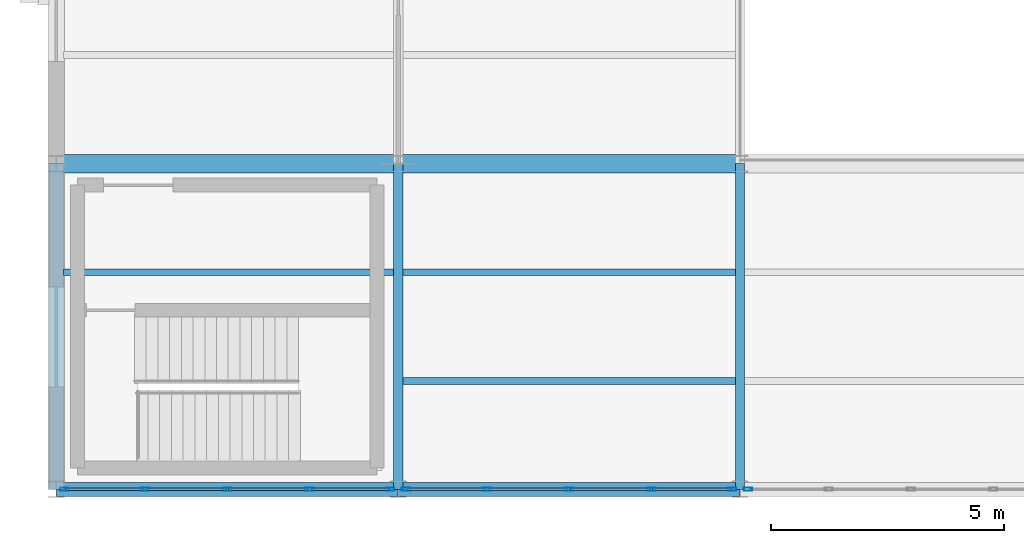
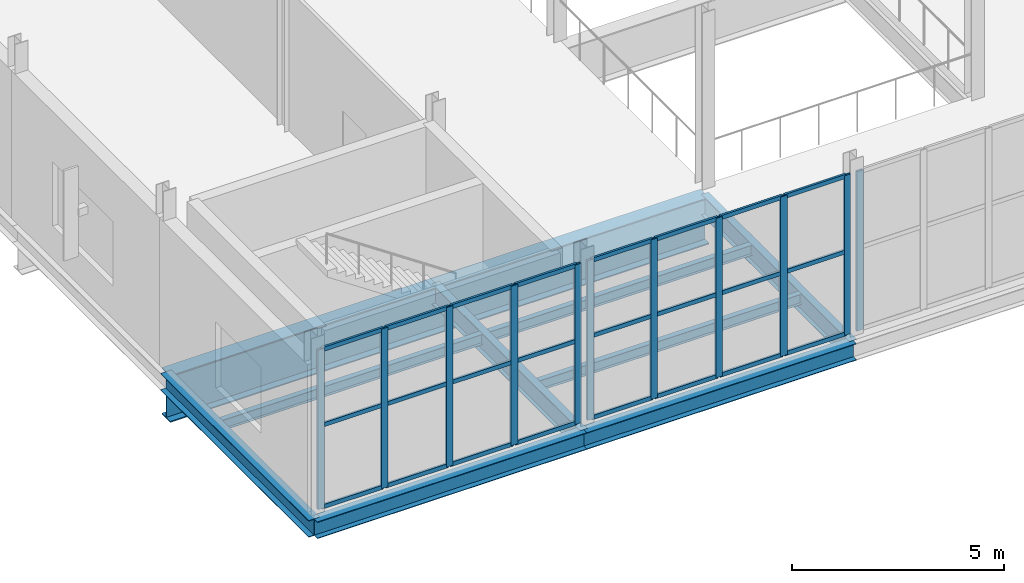
# One storey, part 34 of 218: 35 members, 9 beams, 3 elements without a shape of their own.
"""IFC4 building model written with IfcOpenShell, lengths in metres."""

from ifc_helpers import new_model, si_unit, direction, frame, origin, origin_2d, place, context, subcontext, project, spatial, hollow_rectangle, i_section, extrude, material, material_profile, profile_set, type_object, element, aggregate, save


model = new_model("IFC4")

# Units and contexts
model_context = context("Model", 3, precision=1e-05, world=origin(), true_north=direction((0.0, 1.0)))
body_context = subcontext(model_context, "Body", "Model", "MODEL_VIEW")
ifc_project = project(units=[si_unit("LENGTHUNIT", "METRE"), si_unit("AREAUNIT", "SQUARE_METRE"), si_unit("VOLUMEUNIT", "CUBIC_METRE"), si_unit("PLANEANGLEUNIT", "RADIAN"), si_unit("MASSUNIT", "GRAM", prefix="KILO")], contexts=[model_context])

# Site, building, storey
site_placement = place(None, origin())
site = spatial("IfcSite", under=ifc_project, at=site_placement, CompositionType="ELEMENT")
building_placement = place(site_placement, origin())
building = spatial("IfcBuilding", under=site, at=building_placement, Name="Kazenagashi Tramway Depot", CompositionType="ELEMENT")
storey_placement = place(building_placement, frame((0.0, 0.0, 6.0)))
storey = spatial("IfcBuildingStorey", under=building, at=storey_placement, Name="L02", CompositionType="ELEMENT", Elevation=6.0)

# Beams
ifc_material_1 = material(Name="Steel SN490B", Category="steel")
ifc_material_profile_1 = material_profile(ifc_material_1, i_section(OverallWidth=0.2, OverallDepth=0.6, WebThickness=0.011, FlangeThickness=0.017, at=origin_2d()), Name="H-600x200x11x17")
ifc_profile_set_1 = profile_set([ifc_material_profile_1], Name="Steel SN490B")
beam_type_1 = type_object("IfcBeamType", Name="G-03", PredefinedType="BEAM", material=ifc_profile_set_1)
for number, where, z_axis, x_axis, name in (
    (1, (7.35, 0.0, -0.55), (0.0, 1.0, 0.0), (-1.0, 0.0, 0.0), "Beam G-03 BM-0080"),
    (2, (14.7, 0.0, -0.55), (0.0, 1.0, 0.0), (-1.0, 0.0, 0.0), "Beam G-03 BM-0107"),
):
    element("IfcBeam", number, at=place(storey_placement, frame(where, z_axis=z_axis, x_axis=x_axis)), inside=storey, type_object=beam_type_1, Name=name, PredefinedType="BEAM", context=body_context, shape_type="SweptSolid", body=[
        extrude(i_section(OverallWidth=0.2, OverallDepth=0.6, WebThickness=0.011, FlangeThickness=0.017, at=origin_2d()), origin(), (0.0, 0.0, 1.0), 7.0),
    ])
ifc_material_2 = material(Name="Steel SN400B", Category="steel")
ifc_material_profile_2 = material_profile(ifc_material_2, i_section(OverallWidth=0.15, OverallDepth=0.3, WebThickness=0.0065, FlangeThickness=0.009, at=origin_2d()), Name="H-300x150x6.5x9")
ifc_profile_set_2 = profile_set([ifc_material_profile_2], Name="Steel SN400B")
beam_type_2 = type_object("IfcBeamType", Name="J-02", PredefinedType="JOIST", material=ifc_profile_set_2)
beam_1_placement = place(storey_placement, frame((0.15, 4.667, -0.4), z_axis=(1.0, 0.0, 0.0), x_axis=(0.0, 1.0, 0.0)))
element("IfcBeam", 3, at=beam_1_placement, inside=storey, type_object=beam_type_2, Name="Beam J-02 BM-0056", PredefinedType="JOIST", context=body_context, shape_type="SweptSolid", body=[
    extrude(i_section(OverallWidth=0.15, OverallDepth=0.3, WebThickness=0.0065, FlangeThickness=0.009, at=origin_2d()), origin(), (0.0, 0.0, 1.0), 7.1),
])
for number, where, z_axis, x_axis, name in (
    (4, (7.45, 2.333, -0.4), (1.0, 0.0, 0.0), (0.0, 1.0, 0.0), "Beam J-02 BM-0081"),
    (5, (7.45, 4.667, -0.4), (1.0, 0.0, 0.0), (0.0, 1.0, 0.0), "Beam J-02 BM-0082"),
):
    element("IfcBeam", number, at=place(storey_placement, frame(where, z_axis=z_axis, x_axis=x_axis)), inside=storey, type_object=beam_type_2, Name=name, PredefinedType="JOIST", context=body_context, shape_type="SweptSolid", body=[
        extrude(i_section(OverallWidth=0.15, OverallDepth=0.3, WebThickness=0.0065, FlangeThickness=0.009, at=origin_2d()), origin(), (0.0, 0.0, 1.0), 7.15),
    ])

# Curtain wall, members
ifc_material_3 = material(Name="Anodised Aluminium and Low-E Glazing", Category="aluminium")
curtain_wall_type = type_object("IfcCurtainWallType", Name="CW-25", PredefinedType="USERDEFINED", material=ifc_material_3)
curtain_wall_1_placement = place(storey_placement, origin())
curtain_wall_1 = element("IfcCurtainWall", 6, at=curtain_wall_1_placement, inside=storey, type_object=curtain_wall_type, Name="Industrial Glazed Screen CW-25 CW-0135", ObjectType="GLAZED SCREEN", PredefinedType="USERDEFINED")
ifc_material_4 = material(Name="Anodised Aluminium", Category="aluminium")
ifc_material_profile_3 = material_profile(ifc_material_4, hollow_rectangle(XDim=0.07, YDim=0.18, WallThickness=0.005, at=origin_2d()), Name="RHS-180x70x5")
ifc_profile_set_3 = profile_set([ifc_material_profile_3], Name="Anodised Aluminium")
member_type_1 = type_object("IfcMemberType", Name="ML-02", PredefinedType="MULLION", material=ifc_profile_set_3)
member_1_placement = place(storey_placement, frame((0.17, 0.0, 0.0), z_axis=(0.0, 0.0, 1.0), x_axis=(0.0, 1.0, 0.0)))
member_1 = element("IfcMember", 7, at=member_1_placement, type_object=member_type_1, Name="CW-25 mullion 1", PredefinedType="MULLION", context=body_context, shape_type="SweptSolid", body=[
    extrude(hollow_rectangle(XDim=0.07, YDim=0.18, WallThickness=0.005, at=origin_2d()), origin(), (0.0, 0.0, 1.0), 4.6),
])
member_2_placement = place(storey_placement, frame((1.9075, 0.0, 0.0), z_axis=(0.0, 0.0, 1.0), x_axis=(0.0, 1.0, 0.0)))
member_2 = element("IfcMember", 8, at=member_2_placement, type_object=member_type_1, Name="CW-25 mullion 2", PredefinedType="MULLION", context=body_context, shape_type="SweptSolid", body=[
    extrude(hollow_rectangle(XDim=0.07, YDim=0.18, WallThickness=0.005, at=origin_2d()), origin(), (0.0, 0.0, 1.0), 4.6),
])
member_3_placement = place(storey_placement, frame((3.675, 0.0, 0.0), z_axis=(0.0, 0.0, 1.0), x_axis=(0.0, 1.0, 0.0)))
member_3 = element("IfcMember", 9, at=member_3_placement, type_object=member_type_1, Name="CW-25 mullion 3", PredefinedType="MULLION", context=body_context, shape_type="SweptSolid", body=[
    extrude(hollow_rectangle(XDim=0.07, YDim=0.18, WallThickness=0.005, at=origin_2d()), origin(), (0.0, 0.0, 1.0), 4.6),
])
member_4_placement = place(storey_placement, frame((5.4425, 0.0, 0.0), z_axis=(0.0, 0.0, 1.0), x_axis=(0.0, 1.0, 0.0)))
member_4 = element("IfcMember", 10, at=member_4_placement, type_object=member_type_1, Name="CW-25 mullion 4", PredefinedType="MULLION", context=body_context, shape_type="SweptSolid", body=[
    extrude(hollow_rectangle(XDim=0.07, YDim=0.18, WallThickness=0.005, at=origin_2d()), origin(), (0.0, 0.0, 1.0), 4.6),
])
member_5_placement = place(storey_placement, frame((7.18, 0.0, 0.0), z_axis=(0.0, 0.0, 1.0), x_axis=(0.0, 1.0, 0.0)))
member_5 = element("IfcMember", 11, at=member_5_placement, type_object=member_type_1, Name="CW-25 mullion 5", PredefinedType="MULLION", context=body_context, shape_type="SweptSolid", body=[
    extrude(hollow_rectangle(XDim=0.07, YDim=0.18, WallThickness=0.005, at=origin_2d()), origin(), (0.0, 0.0, 1.0), 4.6),
])

curtain_wall_2_placement = place(storey_placement, origin())
curtain_wall_2 = element("IfcCurtainWall", 12, at=curtain_wall_2_placement, inside=storey, type_object=curtain_wall_type, Name="Industrial Glazed Screen CW-25 CW-0136", ObjectType="GLAZED SCREEN", PredefinedType="USERDEFINED")
member_6_placement = place(storey_placement, frame((7.52, 0.0, 0.0), z_axis=(0.0, 0.0, 1.0), x_axis=(0.0, 1.0, 0.0)))
member_6 = element("IfcMember", 13, at=member_6_placement, type_object=member_type_1, Name="CW-25 mullion 1", PredefinedType="MULLION", context=body_context, shape_type="SweptSolid", body=[
    extrude(hollow_rectangle(XDim=0.07, YDim=0.18, WallThickness=0.005, at=origin_2d()), origin(), (0.0, 0.0, 1.0), 4.6),
])
member_7_placement = place(storey_placement, frame((9.2575, 0.0, 0.0), z_axis=(0.0, 0.0, 1.0), x_axis=(0.0, 1.0, 0.0)))
member_7 = element("IfcMember", 14, at=member_7_placement, type_object=member_type_1, Name="CW-25 mullion 2", PredefinedType="MULLION", context=body_context, shape_type="SweptSolid", body=[
    extrude(hollow_rectangle(XDim=0.07, YDim=0.18, WallThickness=0.005, at=origin_2d()), origin(), (0.0, 0.0, 1.0), 4.6),
])
member_8_placement = place(storey_placement, frame((11.025, 0.0, 0.0), z_axis=(0.0, 0.0, 1.0), x_axis=(0.0, 1.0, 0.0)))
member_8 = element("IfcMember", 15, at=member_8_placement, type_object=member_type_1, Name="CW-25 mullion 3", PredefinedType="MULLION", context=body_context, shape_type="SweptSolid", body=[
    extrude(hollow_rectangle(XDim=0.07, YDim=0.18, WallThickness=0.005, at=origin_2d()), origin(), (0.0, 0.0, 1.0), 4.6),
])
member_9_placement = place(storey_placement, frame((12.7925, 0.0, 0.0), z_axis=(0.0, 0.0, 1.0), x_axis=(0.0, 1.0, 0.0)))
member_9 = element("IfcMember", 16, at=member_9_placement, type_object=member_type_1, Name="CW-25 mullion 4", PredefinedType="MULLION", context=body_context, shape_type="SweptSolid", body=[
    extrude(hollow_rectangle(XDim=0.07, YDim=0.18, WallThickness=0.005, at=origin_2d()), origin(), (0.0, 0.0, 1.0), 4.6),
])
member_10_placement = place(storey_placement, frame((14.53, 0.0, 0.0), z_axis=(0.0, 0.0, 1.0), x_axis=(0.0, 1.0, 0.0)))
member_10 = element("IfcMember", 17, at=member_10_placement, type_object=member_type_1, Name="CW-25 mullion 5", PredefinedType="MULLION", context=body_context, shape_type="SweptSolid", body=[
    extrude(hollow_rectangle(XDim=0.07, YDim=0.18, WallThickness=0.005, at=origin_2d()), origin(), (0.0, 0.0, 1.0), 4.6),
])

# Curtain wall, member
curtain_wall_3_placement = place(storey_placement, origin())
curtain_wall_3 = element("IfcCurtainWall", 18, at=curtain_wall_3_placement, inside=storey, type_object=curtain_wall_type, Name="Industrial Glazed Screen CW-25 CW-0138", ObjectType="GLAZED SCREEN", PredefinedType="USERDEFINED")
member_11_placement = place(storey_placement, frame((14.87, 0.0, 0.0), z_axis=(0.0, 0.0, 1.0), x_axis=(0.0, 1.0, 0.0)))
member_11 = element("IfcMember", 19, at=member_11_placement, type_object=member_type_1, Name="CW-25 mullion 1", PredefinedType="MULLION", context=body_context, shape_type="SweptSolid", body=[
    extrude(hollow_rectangle(XDim=0.07, YDim=0.18, WallThickness=0.005, at=origin_2d()), origin(), (0.0, 0.0, 1.0), 4.6),
])
aggregate(curtain_wall_3, [member_11])

# Beams
ifc_material_profile_4 = material_profile(ifc_material_1, i_section(OverallWidth=0.3, OverallDepth=0.488, WebThickness=0.011, FlangeThickness=0.018, at=origin_2d()), Name="H-488x300x11x18")
ifc_profile_set_4 = profile_set([ifc_material_profile_4], Name="Steel SN490B")
beam_type_3 = type_object("IfcBeamType", Name="SP-02", PredefinedType="SPANDREL", material=ifc_profile_set_4)
for number, where, z_axis, x_axis, name in (
    (20, (0.0, 0.0, -0.494), (1.0, 0.0, 0.0), (0.0, 1.0, 0.0), "Beam SP-02 BM-0007"),
    (21, (7.35, 0.0, -0.494), (1.0, 0.0, 0.0), (0.0, 1.0, 0.0), "Beam SP-02 BM-0008"),
):
    element("IfcBeam", number, at=place(storey_placement, frame(where, z_axis=z_axis, x_axis=x_axis)), inside=storey, type_object=beam_type_3, Name=name, PredefinedType="SPANDREL", context=body_context, shape_type="SweptSolid", body=[
        extrude(i_section(OverallWidth=0.3, OverallDepth=0.488, WebThickness=0.011, FlangeThickness=0.018, at=origin_2d()), origin(), (0.0, 0.0, 1.0), 7.35),
    ])
beam_2_placement = place(storey_placement, frame((0.0, 0.0, -0.494), z_axis=(0.0, 1.0, 0.0), x_axis=(-1.0, 0.0, 0.0)))
element("IfcBeam", 22, at=beam_2_placement, inside=storey, type_object=beam_type_3, Name="Beam SP-02 BM-0055", PredefinedType="SPANDREL", context=body_context, shape_type="SweptSolid", body=[
    extrude(i_section(OverallWidth=0.3, OverallDepth=0.488, WebThickness=0.011, FlangeThickness=0.018, at=origin_2d()), origin(), (0.0, 0.0, 1.0), 7.0),
])
ifc_material_profile_5 = material_profile(ifc_material_1, i_section(OverallWidth=0.4, OverallDepth=1.35, WebThickness=0.019, FlangeThickness=0.032, at=origin_2d()), Name="BH-1350x400x19x32")
ifc_profile_set_5 = profile_set([ifc_material_profile_5], Name="Steel SN490B")
beam_type_4 = type_object("IfcBeamType", Name="TG-01", PredefinedType="BEAM", material=ifc_profile_set_5)
beam_3_placement = place(storey_placement, frame((0.0, 7.0, -0.925), z_axis=(1.0, 0.0, 0.0), x_axis=(0.0, 1.0, 0.0)))
element("IfcBeam", 23, at=beam_3_placement, inside=storey, type_object=beam_type_4, Name="Transfer Girder TG-01 BM-0001", PredefinedType="BEAM", context=body_context, shape_type="SweptSolid", body=[
    extrude(i_section(OverallWidth=0.4, OverallDepth=1.35, WebThickness=0.019, FlangeThickness=0.032, at=origin_2d()), origin(), (0.0, 0.0, 1.0), 14.7),
])

# Member
ifc_material_profile_6 = material_profile(ifc_material_4, hollow_rectangle(XDim=0.06, YDim=0.12, WallThickness=0.004, at=origin_2d()), Name="RHS-120x60x4")
ifc_profile_set_6 = profile_set([ifc_material_profile_6], Name="Anodised Aluminium")
member_type_2 = type_object("IfcMemberType", Name="TR-01", PredefinedType="USERDEFINED", material=ifc_profile_set_6)
member_12_placement = place(storey_placement, frame((0.2, 0.0, 0.03), z_axis=(1.0, 0.0, 0.0), x_axis=(0.0, 1.0, 0.0)))
member_12 = element("IfcMember", 24, at=member_12_placement, type_object=member_type_2, Name="CW-25 transom 1.1", ObjectType="TRANSOM", PredefinedType="USERDEFINED", context=body_context, shape_type="SweptSolid", body=[
    extrude(hollow_rectangle(XDim=0.06, YDim=0.12, WallThickness=0.004, at=origin_2d()), origin(), (0.0, 0.0, 1.0), 1.6775),
])

member_13_placement = place(storey_placement, frame((0.2, 0.0, 2.392), z_axis=(1.0, 0.0, 0.0), x_axis=(0.0, 1.0, 0.0)))
member_13 = element("IfcMember", 25, at=member_13_placement, type_object=member_type_2, Name="CW-25 transom 1.2", ObjectType="TRANSOM", PredefinedType="USERDEFINED", context=body_context, shape_type="SweptSolid", body=[
    extrude(hollow_rectangle(XDim=0.06, YDim=0.12, WallThickness=0.004, at=origin_2d()), origin(), (0.0, 0.0, 1.0), 1.6775),
])

member_14_placement = place(storey_placement, frame((0.2, 0.0, 4.57), z_axis=(1.0, 0.0, 0.0), x_axis=(0.0, 1.0, 0.0)))
member_14 = element("IfcMember", 26, at=member_14_placement, type_object=member_type_2, Name="CW-25 transom 1.3", ObjectType="TRANSOM", PredefinedType="USERDEFINED", context=body_context, shape_type="SweptSolid", body=[
    extrude(hollow_rectangle(XDim=0.06, YDim=0.12, WallThickness=0.004, at=origin_2d()), origin(), (0.0, 0.0, 1.0), 1.6775),
])

member_15_placement = place(storey_placement, frame((1.9375, 0.0, 0.03), z_axis=(1.0, 0.0, 0.0), x_axis=(0.0, 1.0, 0.0)))
member_15 = element("IfcMember", 27, at=member_15_placement, type_object=member_type_2, Name="CW-25 transom 2.1", ObjectType="TRANSOM", PredefinedType="USERDEFINED", context=body_context, shape_type="SweptSolid", body=[
    extrude(hollow_rectangle(XDim=0.06, YDim=0.12, WallThickness=0.004, at=origin_2d()), origin(), (0.0, 0.0, 1.0), 1.7075),
])

member_16_placement = place(storey_placement, frame((1.9375, 0.0, 2.392), z_axis=(1.0, 0.0, 0.0), x_axis=(0.0, 1.0, 0.0)))
member_16 = element("IfcMember", 28, at=member_16_placement, type_object=member_type_2, Name="CW-25 transom 2.2", ObjectType="TRANSOM", PredefinedType="USERDEFINED", context=body_context, shape_type="SweptSolid", body=[
    extrude(hollow_rectangle(XDim=0.06, YDim=0.12, WallThickness=0.004, at=origin_2d()), origin(), (0.0, 0.0, 1.0), 1.7075),
])

member_17_placement = place(storey_placement, frame((1.9375, 0.0, 4.57), z_axis=(1.0, 0.0, 0.0), x_axis=(0.0, 1.0, 0.0)))
member_17 = element("IfcMember", 29, at=member_17_placement, type_object=member_type_2, Name="CW-25 transom 2.3", ObjectType="TRANSOM", PredefinedType="USERDEFINED", context=body_context, shape_type="SweptSolid", body=[
    extrude(hollow_rectangle(XDim=0.06, YDim=0.12, WallThickness=0.004, at=origin_2d()), origin(), (0.0, 0.0, 1.0), 1.7075),
])

member_18_placement = place(storey_placement, frame((3.705, 0.0, 0.03), z_axis=(1.0, 0.0, 0.0), x_axis=(0.0, 1.0, 0.0)))
member_18 = element("IfcMember", 30, at=member_18_placement, type_object=member_type_2, Name="CW-25 transom 3.1", ObjectType="TRANSOM", PredefinedType="USERDEFINED", context=body_context, shape_type="SweptSolid", body=[
    extrude(hollow_rectangle(XDim=0.06, YDim=0.12, WallThickness=0.004, at=origin_2d()), origin(), (0.0, 0.0, 1.0), 1.7075),
])

member_19_placement = place(storey_placement, frame((3.705, 0.0, 2.392), z_axis=(1.0, 0.0, 0.0), x_axis=(0.0, 1.0, 0.0)))
member_19 = element("IfcMember", 31, at=member_19_placement, type_object=member_type_2, Name="CW-25 transom 3.2", ObjectType="TRANSOM", PredefinedType="USERDEFINED", context=body_context, shape_type="SweptSolid", body=[
    extrude(hollow_rectangle(XDim=0.06, YDim=0.12, WallThickness=0.004, at=origin_2d()), origin(), (0.0, 0.0, 1.0), 1.7075),
])

member_20_placement = place(storey_placement, frame((3.705, 0.0, 4.57), z_axis=(1.0, 0.0, 0.0), x_axis=(0.0, 1.0, 0.0)))
member_20 = element("IfcMember", 32, at=member_20_placement, type_object=member_type_2, Name="CW-25 transom 3.3", ObjectType="TRANSOM", PredefinedType="USERDEFINED", context=body_context, shape_type="SweptSolid", body=[
    extrude(hollow_rectangle(XDim=0.06, YDim=0.12, WallThickness=0.004, at=origin_2d()), origin(), (0.0, 0.0, 1.0), 1.7075),
])

member_21_placement = place(storey_placement, frame((5.4725, 0.0, 0.03), z_axis=(1.0, 0.0, 0.0), x_axis=(0.0, 1.0, 0.0)))
member_21 = element("IfcMember", 33, at=member_21_placement, type_object=member_type_2, Name="CW-25 transom 4.1", ObjectType="TRANSOM", PredefinedType="USERDEFINED", context=body_context, shape_type="SweptSolid", body=[
    extrude(hollow_rectangle(XDim=0.06, YDim=0.12, WallThickness=0.004, at=origin_2d()), origin(), (0.0, 0.0, 1.0), 1.6775),
])

member_22_placement = place(storey_placement, frame((5.4725, 0.0, 2.392), z_axis=(1.0, 0.0, 0.0), x_axis=(0.0, 1.0, 0.0)))
member_22 = element("IfcMember", 34, at=member_22_placement, type_object=member_type_2, Name="CW-25 transom 4.2", ObjectType="TRANSOM", PredefinedType="USERDEFINED", context=body_context, shape_type="SweptSolid", body=[
    extrude(hollow_rectangle(XDim=0.06, YDim=0.12, WallThickness=0.004, at=origin_2d()), origin(), (0.0, 0.0, 1.0), 1.6775),
])

member_23_placement = place(storey_placement, frame((5.4725, 0.0, 4.57), z_axis=(1.0, 0.0, 0.0), x_axis=(0.0, 1.0, 0.0)))
member_23 = element("IfcMember", 35, at=member_23_placement, type_object=member_type_2, Name="CW-25 transom 4.3", ObjectType="TRANSOM", PredefinedType="USERDEFINED", context=body_context, shape_type="SweptSolid", body=[
    extrude(hollow_rectangle(XDim=0.06, YDim=0.12, WallThickness=0.004, at=origin_2d()), origin(), (0.0, 0.0, 1.0), 1.6775),
])

aggregate(curtain_wall_1, [member_1, member_2, member_3, member_4, member_5, member_12, member_13, member_14, member_15, member_16, member_17, member_18, member_19, member_20, member_21, member_22, member_23])

member_24_placement = place(storey_placement, frame((7.55, 0.0, 0.03), z_axis=(1.0, 0.0, 0.0), x_axis=(0.0, 1.0, 0.0)))
member_24 = element("IfcMember", 36, at=member_24_placement, type_object=member_type_2, Name="CW-25 transom 1.1", ObjectType="TRANSOM", PredefinedType="USERDEFINED", context=body_context, shape_type="SweptSolid", body=[
    extrude(hollow_rectangle(XDim=0.06, YDim=0.12, WallThickness=0.004, at=origin_2d()), origin(), (0.0, 0.0, 1.0), 1.6775),
])

member_25_placement = place(storey_placement, frame((7.55, 0.0, 2.392), z_axis=(1.0, 0.0, 0.0), x_axis=(0.0, 1.0, 0.0)))
member_25 = element("IfcMember", 37, at=member_25_placement, type_object=member_type_2, Name="CW-25 transom 1.2", ObjectType="TRANSOM", PredefinedType="USERDEFINED", context=body_context, shape_type="SweptSolid", body=[
    extrude(hollow_rectangle(XDim=0.06, YDim=0.12, WallThickness=0.004, at=origin_2d()), origin(), (0.0, 0.0, 1.0), 1.6775),
])

member_26_placement = place(storey_placement, frame((7.55, 0.0, 4.57), z_axis=(1.0, 0.0, 0.0), x_axis=(0.0, 1.0, 0.0)))
member_26 = element("IfcMember", 38, at=member_26_placement, type_object=member_type_2, Name="CW-25 transom 1.3", ObjectType="TRANSOM", PredefinedType="USERDEFINED", context=body_context, shape_type="SweptSolid", body=[
    extrude(hollow_rectangle(XDim=0.06, YDim=0.12, WallThickness=0.004, at=origin_2d()), origin(), (0.0, 0.0, 1.0), 1.6775),
])

member_27_placement = place(storey_placement, frame((9.2875, 0.0, 0.03), z_axis=(1.0, 0.0, 0.0), x_axis=(0.0, 1.0, 0.0)))
member_27 = element("IfcMember", 39, at=member_27_placement, type_object=member_type_2, Name="CW-25 transom 2.1", ObjectType="TRANSOM", PredefinedType="USERDEFINED", context=body_context, shape_type="SweptSolid", body=[
    extrude(hollow_rectangle(XDim=0.06, YDim=0.12, WallThickness=0.004, at=origin_2d()), origin(), (0.0, 0.0, 1.0), 1.7075),
])

member_28_placement = place(storey_placement, frame((9.2875, 0.0, 2.392), z_axis=(1.0, 0.0, 0.0), x_axis=(0.0, 1.0, 0.0)))
member_28 = element("IfcMember", 40, at=member_28_placement, type_object=member_type_2, Name="CW-25 transom 2.2", ObjectType="TRANSOM", PredefinedType="USERDEFINED", context=body_context, shape_type="SweptSolid", body=[
    extrude(hollow_rectangle(XDim=0.06, YDim=0.12, WallThickness=0.004, at=origin_2d()), origin(), (0.0, 0.0, 1.0), 1.7075),
])

member_29_placement = place(storey_placement, frame((9.2875, 0.0, 4.57), z_axis=(1.0, 0.0, 0.0), x_axis=(0.0, 1.0, 0.0)))
member_29 = element("IfcMember", 41, at=member_29_placement, type_object=member_type_2, Name="CW-25 transom 2.3", ObjectType="TRANSOM", PredefinedType="USERDEFINED", context=body_context, shape_type="SweptSolid", body=[
    extrude(hollow_rectangle(XDim=0.06, YDim=0.12, WallThickness=0.004, at=origin_2d()), origin(), (0.0, 0.0, 1.0), 1.7075),
])

member_30_placement = place(storey_placement, frame((11.055, 0.0, 0.03), z_axis=(1.0, 0.0, 0.0), x_axis=(0.0, 1.0, 0.0)))
member_30 = element("IfcMember", 42, at=member_30_placement, type_object=member_type_2, Name="CW-25 transom 3.1", ObjectType="TRANSOM", PredefinedType="USERDEFINED", context=body_context, shape_type="SweptSolid", body=[
    extrude(hollow_rectangle(XDim=0.06, YDim=0.12, WallThickness=0.004, at=origin_2d()), origin(), (0.0, 0.0, 1.0), 1.7075),
])

member_31_placement = place(storey_placement, frame((11.055, 0.0, 2.392), z_axis=(1.0, 0.0, 0.0), x_axis=(0.0, 1.0, 0.0)))
member_31 = element("IfcMember", 43, at=member_31_placement, type_object=member_type_2, Name="CW-25 transom 3.2", ObjectType="TRANSOM", PredefinedType="USERDEFINED", context=body_context, shape_type="SweptSolid", body=[
    extrude(hollow_rectangle(XDim=0.06, YDim=0.12, WallThickness=0.004, at=origin_2d()), origin(), (0.0, 0.0, 1.0), 1.7075),
])

member_32_placement = place(storey_placement, frame((11.055, 0.0, 4.57), z_axis=(1.0, 0.0, 0.0), x_axis=(0.0, 1.0, 0.0)))
member_32 = element("IfcMember", 44, at=member_32_placement, type_object=member_type_2, Name="CW-25 transom 3.3", ObjectType="TRANSOM", PredefinedType="USERDEFINED", context=body_context, shape_type="SweptSolid", body=[
    extrude(hollow_rectangle(XDim=0.06, YDim=0.12, WallThickness=0.004, at=origin_2d()), origin(), (0.0, 0.0, 1.0), 1.7075),
])

member_33_placement = place(storey_placement, frame((12.8225, 0.0, 0.03), z_axis=(1.0, 0.0, 0.0), x_axis=(0.0, 1.0, 0.0)))
member_33 = element("IfcMember", 45, at=member_33_placement, type_object=member_type_2, Name="CW-25 transom 4.1", ObjectType="TRANSOM", PredefinedType="USERDEFINED", context=body_context, shape_type="SweptSolid", body=[
    extrude(hollow_rectangle(XDim=0.06, YDim=0.12, WallThickness=0.004, at=origin_2d()), origin(), (0.0, 0.0, 1.0), 1.6775),
])

member_34_placement = place(storey_placement, frame((12.8225, 0.0, 2.392), z_axis=(1.0, 0.0, 0.0), x_axis=(0.0, 1.0, 0.0)))
member_34 = element("IfcMember", 46, at=member_34_placement, type_object=member_type_2, Name="CW-25 transom 4.2", ObjectType="TRANSOM", PredefinedType="USERDEFINED", context=body_context, shape_type="SweptSolid", body=[
    extrude(hollow_rectangle(XDim=0.06, YDim=0.12, WallThickness=0.004, at=origin_2d()), origin(), (0.0, 0.0, 1.0), 1.6775),
])

member_35_placement = place(storey_placement, frame((12.8225, 0.0, 4.57), z_axis=(1.0, 0.0, 0.0), x_axis=(0.0, 1.0, 0.0)))
member_35 = element("IfcMember", 47, at=member_35_placement, type_object=member_type_2, Name="CW-25 transom 4.3", ObjectType="TRANSOM", PredefinedType="USERDEFINED", context=body_context, shape_type="SweptSolid", body=[
    extrude(hollow_rectangle(XDim=0.06, YDim=0.12, WallThickness=0.004, at=origin_2d()), origin(), (0.0, 0.0, 1.0), 1.6775),
])

aggregate(curtain_wall_2, [member_6, member_7, member_8, member_9, member_10, member_24, member_25, member_26, member_27, member_28, member_29, member_30, member_31, member_32, member_33, member_34, member_35])

save(model, "model.ifc")
